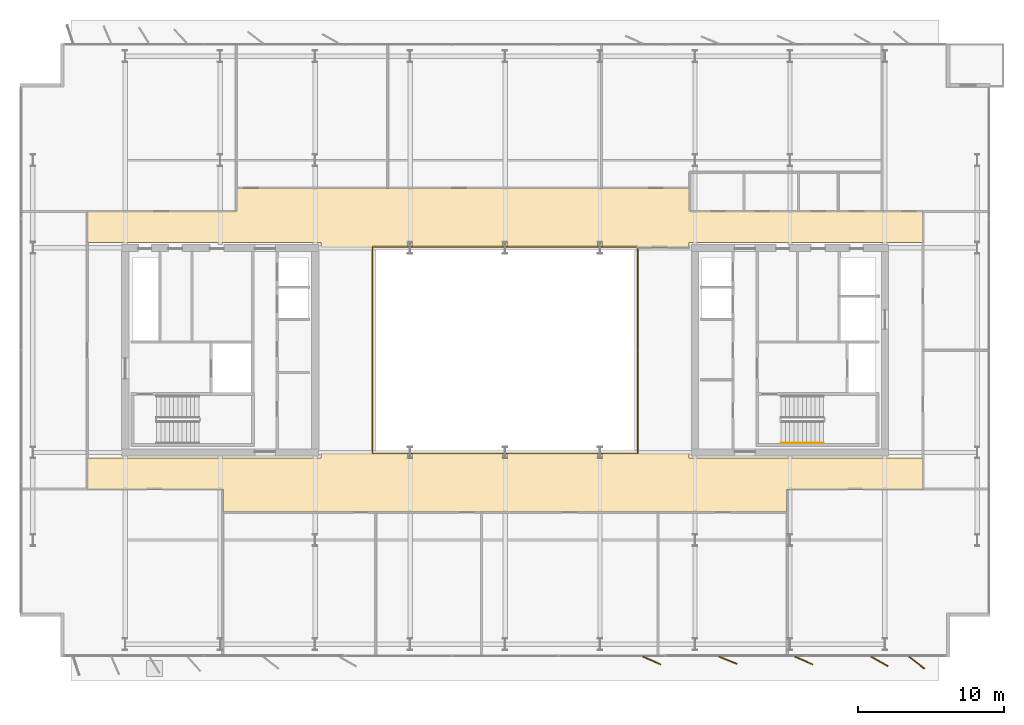
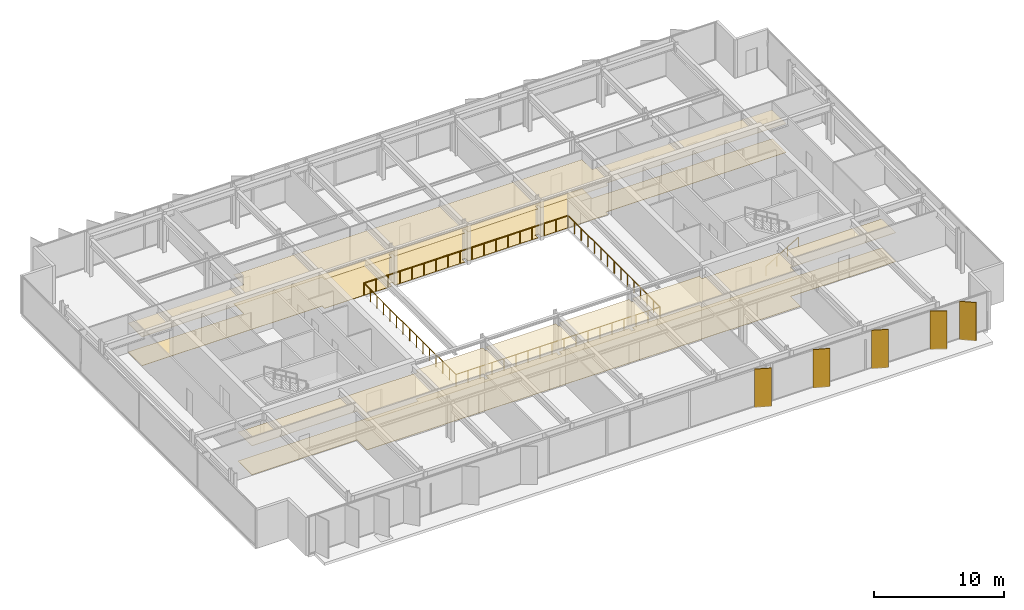
# One storey, part 21 of 23: 5 shading devices, 4 coverings, 3 railings.
"""IFC4 building model written with IfcOpenShell, lengths in metres."""

from ifc_helpers import new_model, si_unit, direction, frame, origin, origin_2d, place, context, subcontext, project, spatial, polyline, rectangle, circle, outline, extrude, material, layer, layer_set, type_object, element, save


model = new_model("IFC4")

# Units and contexts
model_context = context("Model", 3, precision=1e-05, world=origin(), true_north=direction((0.0, 1.0)))
body_context = subcontext(model_context, "Body", "Model", "MODEL_VIEW")
ifc_project = project(units=[si_unit("LENGTHUNIT", "METRE"), si_unit("AREAUNIT", "SQUARE_METRE"), si_unit("VOLUMEUNIT", "CUBIC_METRE"), si_unit("PLANEANGLEUNIT", "RADIAN"), si_unit("MASSUNIT", "GRAM", prefix="KILO")], contexts=[model_context])

# Site, building, storey
site_placement = place(None, origin())
site = spatial("IfcSite", under=ifc_project, at=site_placement, CompositionType="ELEMENT")
building_placement = place(site_placement, origin())
building = spatial("IfcBuilding", under=site, at=building_placement, Name="Putna Gate Headquarters", CompositionType="ELEMENT")
storey_placement = place(building_placement, frame((0.0, 0.0, 202.39990234375)))
storey = spatial("IfcBuildingStorey", under=building, at=storey_placement, Name="L50", CompositionType="ELEMENT", Elevation=202.39990234375)

# Coverings
ifc_material_1 = material(Name="Perforated mineral-fibre acoustic ceiling tile")
ifc_layer_1 = layer(ifc_material_1, 0.0400390625)
ifc_layer_set_1 = layer_set([ifc_layer_1], Name="Perforated mineral-fibre acoustic ceiling tile")
covering_type_1 = type_object("IfcCoveringType", Name="COV-ACOUSTIC-CEILING", PredefinedType="CEILING", material=ifc_layer_set_1)
covering_1_placement = place(storey_placement, frame((0.0, 0.0, 2.710205078125)))
element("IfcCovering", 1, at=covering_1_placement, inside=storey, type_object=covering_type_1, Name="L50 Acoustic Ceiling Covering 1", PredefinedType="CEILING", context=body_context, shape_type="SweptSolid", body=[
    extrude(outline(polyline([(45.360107421875, 33.35888671875), (45.340576171875, 33.35888671875), (45.340576171875, 33.4150390625), (45.659423828125, 33.4150390625), (45.659423828125, 33.35888671875), (45.639892578125, 33.35888671875), (45.639892578125, 33.02001953125), (51.60009765625, 33.02001953125), (51.60009765625, 33.3798828125), (67.6201171875, 33.3798828125), (67.6201171875, 35.52001953125), (51.60009765625, 35.52001953125), (51.60009765625, 37.06005859375), (20.64892578125, 37.06005859375), (20.64892578125, 35.52001953125), (10.3798828125, 35.52001953125), (10.3798828125, 33.3798828125), (26.39990234375, 33.3798828125), (26.39990234375, 33.02001953125), (32.360107421875, 33.02001953125), (32.360107421875, 33.35888671875), (32.340576171875, 33.35888671875), (32.340576171875, 33.4150390625), (32.659423828125, 33.4150390625), (32.659423828125, 33.35888671875), (32.639892578125, 33.35888671875), (32.639892578125, 33.02001953125), (38.860107421875, 33.02001953125), (38.860107421875, 33.35888671875), (38.840576171875, 33.35888671875), (38.840576171875, 33.4150390625), (39.159423828125, 33.4150390625), (39.159423828125, 33.35888671875), (39.139892578125, 33.35888671875), (39.139892578125, 33.02001953125), (45.360107421875, 33.02001953125), (45.360107421875, 33.35888671875)])), origin(), (0.0, 0.0, 1.0), 0.039794921875),
])
covering_2_placement = place(storey_placement, frame((0.0, 0.0, 2.710205078125)))
element("IfcCovering", 2, at=covering_2_placement, inside=storey, type_object=covering_type_1, Name="L50 Acoustic Ceiling Covering 2", PredefinedType="CEILING", context=body_context, shape_type="SweptSolid", body=[
    extrude(outline(polyline([(19.723388671875, 16.47998046875), (19.723388671875, 14.93994140625), (58.276611328125, 14.93994140625), (58.276611328125, 16.47998046875), (67.6201171875, 16.47998046875), (67.6201171875, 18.6201171875), (51.60009765625, 18.6201171875), (51.60009765625, 18.97998046875), (45.639892578125, 18.97998046875), (45.639892578125, 18.64111328125), (45.659423828125, 18.64111328125), (45.659423828125, 18.5849609375), (45.340576171875, 18.5849609375), (45.340576171875, 18.64111328125), (45.360107421875, 18.64111328125), (45.360107421875, 18.97998046875), (39.139892578125, 18.97998046875), (39.139892578125, 18.64111328125), (39.159423828125, 18.64111328125), (39.159423828125, 18.5849609375), (38.840576171875, 18.5849609375), (38.840576171875, 18.64111328125), (38.860107421875, 18.64111328125), (38.860107421875, 18.97998046875), (32.639892578125, 18.97998046875), (32.639892578125, 18.64111328125), (32.659423828125, 18.64111328125), (32.659423828125, 18.5849609375), (32.340576171875, 18.5849609375), (32.340576171875, 18.64111328125), (32.360107421875, 18.64111328125), (32.360107421875, 18.97998046875), (26.39990234375, 18.97998046875), (26.39990234375, 18.6201171875), (10.3798828125, 18.6201171875), (10.3798828125, 16.47998046875), (19.723388671875, 16.47998046875)])), origin(), (0.0, 0.0, 1.0), 0.039794921875),
])
ifc_material_2 = material(Name="Calcium-sulphate raised access floor finish")
ifc_layer_2 = layer(ifc_material_2, 0.030029296875)
ifc_layer_set_2 = layer_set([ifc_layer_2], Name="Calcium-sulphate raised access floor finish")
covering_type_2 = type_object("IfcCoveringType", Name="COV-RAISED-FLOORING", PredefinedType="FLOORING", material=ifc_layer_set_2)
covering_3_placement = place(storey_placement, origin())
element("IfcCovering", 3, at=covering_3_placement, inside=storey, type_object=covering_type_2, Name="L50 Raised Access Floor Covering 1", PredefinedType="FLOORING", context=body_context, shape_type="SweptSolid", body=[
    extrude(outline(polyline([(45.360107421875, 33.35888671875), (45.340576171875, 33.35888671875), (45.340576171875, 33.4150390625), (45.659423828125, 33.4150390625), (45.659423828125, 33.35888671875), (45.639892578125, 33.35888671875), (45.639892578125, 33.02001953125), (51.60009765625, 33.02001953125), (51.60009765625, 33.3798828125), (67.6201171875, 33.3798828125), (67.6201171875, 35.52001953125), (51.60009765625, 35.52001953125), (51.60009765625, 37.06005859375), (20.64892578125, 37.06005859375), (20.64892578125, 35.52001953125), (10.3798828125, 35.52001953125), (10.3798828125, 33.3798828125), (26.39990234375, 33.3798828125), (26.39990234375, 33.02001953125), (32.360107421875, 33.02001953125), (32.360107421875, 33.35888671875), (32.340576171875, 33.35888671875), (32.340576171875, 33.4150390625), (32.659423828125, 33.4150390625), (32.659423828125, 33.35888671875), (32.639892578125, 33.35888671875), (32.639892578125, 33.02001953125), (38.860107421875, 33.02001953125), (38.860107421875, 33.35888671875), (38.840576171875, 33.35888671875), (38.840576171875, 33.4150390625), (39.159423828125, 33.4150390625), (39.159423828125, 33.35888671875), (39.139892578125, 33.35888671875), (39.139892578125, 33.02001953125), (45.360107421875, 33.02001953125), (45.360107421875, 33.35888671875)])), origin(), (0.0, 0.0, 1.0), 0.030029296875),
])
covering_4_placement = place(storey_placement, origin())
element("IfcCovering", 4, at=covering_4_placement, inside=storey, type_object=covering_type_2, Name="L50 Raised Access Floor Covering 2", PredefinedType="FLOORING", context=body_context, shape_type="SweptSolid", body=[
    extrude(outline(polyline([(19.723388671875, 16.47998046875), (19.723388671875, 14.93994140625), (58.276611328125, 14.93994140625), (58.276611328125, 16.47998046875), (67.6201171875, 16.47998046875), (67.6201171875, 18.6201171875), (51.60009765625, 18.6201171875), (51.60009765625, 18.97998046875), (45.639892578125, 18.97998046875), (45.639892578125, 18.64111328125), (45.659423828125, 18.64111328125), (45.659423828125, 18.5849609375), (45.340576171875, 18.5849609375), (45.340576171875, 18.64111328125), (45.360107421875, 18.64111328125), (45.360107421875, 18.97998046875), (39.139892578125, 18.97998046875), (39.139892578125, 18.64111328125), (39.159423828125, 18.64111328125), (39.159423828125, 18.5849609375), (38.840576171875, 18.5849609375), (38.840576171875, 18.64111328125), (38.860107421875, 18.64111328125), (38.860107421875, 18.97998046875), (32.639892578125, 18.97998046875), (32.639892578125, 18.64111328125), (32.659423828125, 18.64111328125), (32.659423828125, 18.5849609375), (32.340576171875, 18.5849609375), (32.340576171875, 18.64111328125), (32.360107421875, 18.64111328125), (32.360107421875, 18.97998046875), (26.39990234375, 18.97998046875), (26.39990234375, 18.6201171875), (10.3798828125, 18.6201171875), (10.3798828125, 16.47998046875), (19.723388671875, 16.47998046875)])), origin(), (0.0, 0.0, 1.0), 0.030029296875),
])

# Railings
ifc_material_3 = material(Name="Anodised bronze and laminated glass atrium balustrade", Category="glass")
railing_type_1 = type_object("IfcRailingType", Name="RAIL-ATRIUM-GUARD-1150", PredefinedType="GUARDRAIL", material=ifc_material_3)
railing_1_placement = place(storey_placement, frame((29.919921875, 25.969970703125, 0.0)))
element("IfcRailing", 5, at=railing_1_placement, inside=storey, type_object=railing_type_1, Name="L50 Central Atrium Glazed Balustrade South", PredefinedType="GUARDRAIL", context=body_context, shape_type="SweptSolid", body=[
    extrude(circle(Radius=0.02392578125, at=origin_2d()), frame((0.0, 0.0, 1.1259765625), z_axis=(0.0, -1.0, 0.0), x_axis=(1.0, 0.0, 0.0)), (0.0, 0.0, 1.0), 7.050048828125),
    extrude(circle(Radius=0.02392578125, at=origin_2d()), frame((0.0, -7.050048828125, 1.1259765625), z_axis=(1.0, 0.0, 0.0), x_axis=(0.0, 1.0, 0.0)), (0.0, 0.0, 1.0), 18.16015625),
    extrude(circle(Radius=0.02392578125, at=origin_2d()), frame((18.16015625, -7.050048828125, 1.1259765625), z_axis=(0.0, 1.0, 0.0), x_axis=(-1.0, 0.0, 0.0)), (0.0, 0.0, 1.0), 7.050048828125),
    extrude(circle(Radius=0.02099609375, at=origin_2d()), origin(), (0.0, 0.0, 1.0), 1.101806640625),
    extrude(circle(Radius=0.02099609375, at=origin_2d()), frame((0.0, -1.007080078125, 0.0)), (0.0, 0.0, 1.0), 1.101806640625),
    extrude(circle(Radius=0.02099609375, at=origin_2d()), frame((0.0, -2.014404296875, 0.0)), (0.0, 0.0, 1.0), 1.101806640625),
    extrude(circle(Radius=0.02099609375, at=origin_2d()), frame((0.0, -3.021484375, 0.0)), (0.0, 0.0, 1.0), 1.101806640625),
    extrude(circle(Radius=0.02099609375, at=origin_2d()), frame((0.0, -4.028564453125, 0.0)), (0.0, 0.0, 1.0), 1.101806640625),
    extrude(circle(Radius=0.02099609375, at=origin_2d()), frame((0.0, -5.03564453125, 0.0)), (0.0, 0.0, 1.0), 1.101806640625),
    extrude(circle(Radius=0.02099609375, at=origin_2d()), frame((0.0, -6.04296875, 0.0)), (0.0, 0.0, 1.0), 1.101806640625),
    extrude(circle(Radius=0.02099609375, at=origin_2d()), frame((0.0, -7.050048828125, 0.0)), (0.0, 0.0, 1.0), 1.101806640625),
    extrude(circle(Radius=0.02099609375, at=origin_2d()), frame((1.068359375, -7.050048828125, 0.0)), (0.0, 0.0, 1.0), 1.101806640625),
    extrude(circle(Radius=0.02099609375, at=origin_2d()), frame((2.136474609375, -7.050048828125, 0.0)), (0.0, 0.0, 1.0), 1.101806640625),
    extrude(circle(Radius=0.02099609375, at=origin_2d()), frame((3.204833984375, -7.050048828125, 0.0)), (0.0, 0.0, 1.0), 1.101806640625),
    extrude(circle(Radius=0.02099609375, at=origin_2d()), frame((4.27294921875, -7.050048828125, 0.0)), (0.0, 0.0, 1.0), 1.101806640625),
    extrude(circle(Radius=0.02099609375, at=origin_2d()), frame((5.34130859375, -7.050048828125, 0.0)), (0.0, 0.0, 1.0), 1.101806640625),
    extrude(circle(Radius=0.02099609375, at=origin_2d()), frame((6.409423828125, -7.050048828125, 0.0)), (0.0, 0.0, 1.0), 1.101806640625),
    extrude(circle(Radius=0.02099609375, at=origin_2d()), frame((7.477783203125, -7.050048828125, 0.0)), (0.0, 0.0, 1.0), 1.101806640625),
    extrude(circle(Radius=0.02099609375, at=origin_2d()), frame((8.5458984375, -7.050048828125, 0.0)), (0.0, 0.0, 1.0), 1.101806640625),
    extrude(circle(Radius=0.02099609375, at=origin_2d()), frame((9.6142578125, -7.050048828125, 0.0)), (0.0, 0.0, 1.0), 1.101806640625),
    extrude(circle(Radius=0.02099609375, at=origin_2d()), frame((10.682373046875, -7.050048828125, 0.0)), (0.0, 0.0, 1.0), 1.101806640625),
    extrude(circle(Radius=0.02099609375, at=origin_2d()), frame((11.750732421875, -7.050048828125, 0.0)), (0.0, 0.0, 1.0), 1.101806640625),
    extrude(circle(Radius=0.02099609375, at=origin_2d()), frame((12.81884765625, -7.050048828125, 0.0)), (0.0, 0.0, 1.0), 1.101806640625),
    extrude(circle(Radius=0.02099609375, at=origin_2d()), frame((13.88720703125, -7.050048828125, 0.0)), (0.0, 0.0, 1.0), 1.101806640625),
    extrude(circle(Radius=0.02099609375, at=origin_2d()), frame((14.955322265625, -7.050048828125, 0.0)), (0.0, 0.0, 1.0), 1.101806640625),
    extrude(circle(Radius=0.02099609375, at=origin_2d()), frame((16.023681640625, -7.050048828125, 0.0)), (0.0, 0.0, 1.0), 1.101806640625),
    extrude(circle(Radius=0.02099609375, at=origin_2d()), frame((17.091796875, -7.050048828125, 0.0)), (0.0, 0.0, 1.0), 1.101806640625),
    extrude(circle(Radius=0.02099609375, at=origin_2d()), frame((18.16015625, -7.050048828125, 0.0)), (0.0, 0.0, 1.0), 1.101806640625),
    extrude(circle(Radius=0.02099609375, at=origin_2d()), frame((18.16015625, -6.04296875, 0.0)), (0.0, 0.0, 1.0), 1.101806640625),
    extrude(circle(Radius=0.02099609375, at=origin_2d()), frame((18.16015625, -5.03564453125, 0.0)), (0.0, 0.0, 1.0), 1.101806640625),
    extrude(circle(Radius=0.02099609375, at=origin_2d()), frame((18.16015625, -4.028564453125, 0.0)), (0.0, 0.0, 1.0), 1.101806640625),
    extrude(circle(Radius=0.02099609375, at=origin_2d()), frame((18.16015625, -3.021484375, 0.0)), (0.0, 0.0, 1.0), 1.101806640625),
    extrude(circle(Radius=0.02099609375, at=origin_2d()), frame((18.16015625, -2.014404296875, 0.0)), (0.0, 0.0, 1.0), 1.101806640625),
    extrude(circle(Radius=0.02099609375, at=origin_2d()), frame((18.16015625, -1.007080078125, 0.0)), (0.0, 0.0, 1.0), 1.101806640625),
    extrude(circle(Radius=0.02099609375, at=origin_2d()), frame((18.16015625, 0.0, 0.0)), (0.0, 0.0, 1.0), 1.101806640625),
])
railing_2_placement = place(storey_placement, frame((48.080078125, 26.030029296875, 0.0)))
element("IfcRailing", 6, at=railing_2_placement, inside=storey, type_object=railing_type_1, Name="L50 Central Atrium Glazed Balustrade North", PredefinedType="GUARDRAIL", context=body_context, shape_type="SweptSolid", body=[
    extrude(circle(Radius=0.02392578125, at=origin_2d()), frame((0.0, 0.0, 1.1259765625), z_axis=(0.0, 1.0, 0.0), x_axis=(-1.0, 0.0, 0.0)), (0.0, 0.0, 1.0), 7.050048828125),
    extrude(circle(Radius=0.02392578125, at=origin_2d()), frame((0.0, 7.050048828125, 1.1259765625), z_axis=(-1.0, 0.0, 0.0), x_axis=(0.0, -1.0, 0.0)), (0.0, 0.0, 1.0), 18.16015625),
    extrude(circle(Radius=0.02392578125, at=origin_2d()), frame((-18.16015625, 7.050048828125, 1.1259765625), z_axis=(0.0, -1.0, 0.0), x_axis=(1.0, 0.0, 0.0)), (0.0, 0.0, 1.0), 7.050048828125),
    extrude(circle(Radius=0.02099609375, at=origin_2d()), origin(), (0.0, 0.0, 1.0), 1.101806640625),
    extrude(circle(Radius=0.02099609375, at=origin_2d()), frame((0.0, 1.007080078125, 0.0)), (0.0, 0.0, 1.0), 1.101806640625),
    extrude(circle(Radius=0.02099609375, at=origin_2d()), frame((0.0, 2.014404296875, 0.0)), (0.0, 0.0, 1.0), 1.101806640625),
    extrude(circle(Radius=0.02099609375, at=origin_2d()), frame((0.0, 3.021484375, 0.0)), (0.0, 0.0, 1.0), 1.101806640625),
    extrude(circle(Radius=0.02099609375, at=origin_2d()), frame((0.0, 4.028564453125, 0.0)), (0.0, 0.0, 1.0), 1.101806640625),
    extrude(circle(Radius=0.02099609375, at=origin_2d()), frame((0.0, 5.03564453125, 0.0)), (0.0, 0.0, 1.0), 1.101806640625),
    extrude(circle(Radius=0.02099609375, at=origin_2d()), frame((0.0, 6.04296875, 0.0)), (0.0, 0.0, 1.0), 1.101806640625),
    extrude(circle(Radius=0.02099609375, at=origin_2d()), frame((0.0, 7.050048828125, 0.0)), (0.0, 0.0, 1.0), 1.101806640625),
    extrude(circle(Radius=0.02099609375, at=origin_2d()), frame((-1.068359375, 7.050048828125, 0.0)), (0.0, 0.0, 1.0), 1.101806640625),
    extrude(circle(Radius=0.02099609375, at=origin_2d()), frame((-2.136474609375, 7.050048828125, 0.0)), (0.0, 0.0, 1.0), 1.101806640625),
    extrude(circle(Radius=0.02099609375, at=origin_2d()), frame((-3.204833984375, 7.050048828125, 0.0)), (0.0, 0.0, 1.0), 1.101806640625),
    extrude(circle(Radius=0.02099609375, at=origin_2d()), frame((-4.27294921875, 7.050048828125, 0.0)), (0.0, 0.0, 1.0), 1.101806640625),
    extrude(circle(Radius=0.02099609375, at=origin_2d()), frame((-5.34130859375, 7.050048828125, 0.0)), (0.0, 0.0, 1.0), 1.101806640625),
    extrude(circle(Radius=0.02099609375, at=origin_2d()), frame((-6.409423828125, 7.050048828125, 0.0)), (0.0, 0.0, 1.0), 1.101806640625),
    extrude(circle(Radius=0.02099609375, at=origin_2d()), frame((-7.477783203125, 7.050048828125, 0.0)), (0.0, 0.0, 1.0), 1.101806640625),
    extrude(circle(Radius=0.02099609375, at=origin_2d()), frame((-8.5458984375, 7.050048828125, 0.0)), (0.0, 0.0, 1.0), 1.101806640625),
    extrude(circle(Radius=0.02099609375, at=origin_2d()), frame((-9.6142578125, 7.050048828125, 0.0)), (0.0, 0.0, 1.0), 1.101806640625),
    extrude(circle(Radius=0.02099609375, at=origin_2d()), frame((-10.682373046875, 7.050048828125, 0.0)), (0.0, 0.0, 1.0), 1.101806640625),
    extrude(circle(Radius=0.02099609375, at=origin_2d()), frame((-11.750732421875, 7.050048828125, 0.0)), (0.0, 0.0, 1.0), 1.101806640625),
    extrude(circle(Radius=0.02099609375, at=origin_2d()), frame((-12.81884765625, 7.050048828125, 0.0)), (0.0, 0.0, 1.0), 1.101806640625),
    extrude(circle(Radius=0.02099609375, at=origin_2d()), frame((-13.88720703125, 7.050048828125, 0.0)), (0.0, 0.0, 1.0), 1.101806640625),
    extrude(circle(Radius=0.02099609375, at=origin_2d()), frame((-14.955322265625, 7.050048828125, 0.0)), (0.0, 0.0, 1.0), 1.101806640625),
    extrude(circle(Radius=0.02099609375, at=origin_2d()), frame((-16.023681640625, 7.050048828125, 0.0)), (0.0, 0.0, 1.0), 1.101806640625),
    extrude(circle(Radius=0.02099609375, at=origin_2d()), frame((-17.091796875, 7.050048828125, 0.0)), (0.0, 0.0, 1.0), 1.101806640625),
    extrude(circle(Radius=0.02099609375, at=origin_2d()), frame((-18.16015625, 7.050048828125, 0.0)), (0.0, 0.0, 1.0), 1.101806640625),
    extrude(circle(Radius=0.02099609375, at=origin_2d()), frame((-18.16015625, 6.04296875, 0.0)), (0.0, 0.0, 1.0), 1.101806640625),
    extrude(circle(Radius=0.02099609375, at=origin_2d()), frame((-18.16015625, 5.03564453125, 0.0)), (0.0, 0.0, 1.0), 1.101806640625),
    extrude(circle(Radius=0.02099609375, at=origin_2d()), frame((-18.16015625, 4.028564453125, 0.0)), (0.0, 0.0, 1.0), 1.101806640625),
    extrude(circle(Radius=0.02099609375, at=origin_2d()), frame((-18.16015625, 3.021484375, 0.0)), (0.0, 0.0, 1.0), 1.101806640625),
    extrude(circle(Radius=0.02099609375, at=origin_2d()), frame((-18.16015625, 2.014404296875, 0.0)), (0.0, 0.0, 1.0), 1.101806640625),
    extrude(circle(Radius=0.02099609375, at=origin_2d()), frame((-18.16015625, 1.007080078125, 0.0)), (0.0, 0.0, 1.0), 1.101806640625),
    extrude(circle(Radius=0.02099609375, at=origin_2d()), frame((-18.16015625, 0.0, 0.0)), (0.0, 0.0, 1.0), 1.101806640625),
])
ifc_material_4 = material(Name="Brushed stainless steel handrail", Category="steel")
railing_type_2 = type_object("IfcRailingType", Name="RAIL-STAIR-HAND-900", PredefinedType="HANDRAIL", material=ifc_material_4)
railing_3_placement = place(storey_placement, frame((57.89990234375, 19.64990234375, 0.1728515625)))
element("IfcRailing", 7, at=railing_3_placement, inside=storey, type_object=railing_type_2, Name="L50 ST2 stair handrail 1", PredefinedType="HANDRAIL", context=body_context, shape_type="SweptSolid", body=[
    extrude(circle(Radius=0.02392578125, at=origin_2d()), frame((0.0, 0.0, 0.8759765625), z_axis=(0.859160404282, 0.0, 0.51170636083), x_axis=(0.0, 1.0, 0.0)), (0.0, 0.0, 1.0), 3.37548828125),
    extrude(circle(Radius=0.02099609375, at=origin_2d()), origin(), (0.0, 0.0, 1.0), 0.851806640625),
    extrude(circle(Radius=0.02099609375, at=origin_2d()), frame((0.966796875, 0.0, 0.57568359375)), (0.0, 0.0, 1.0), 0.851806640625),
    extrude(circle(Radius=0.02099609375, at=origin_2d()), frame((1.933349609375, 0.0, 1.151611328125)), (0.0, 0.0, 1.0), 0.851806640625),
    extrude(circle(Radius=0.02099609375, at=origin_2d()), frame((2.900146484375, 0.0, 1.727294921875)), (0.0, 0.0, 1.0), 0.851806640625),
])

# Shading devices
ifc_material_5 = material(Name="Anodised architectural bronze aluminium fin", Category="aluminium")
ifc_layer_3 = layer(ifc_material_5, 0.06494140625)
ifc_layer_set_3 = layer_set([ifc_layer_3], Name="Anodised architectural bronze aluminium fin")
shading_device_type = type_object("IfcShadingDeviceType", Name="SHADE-BRONZE-FIN-1320", PredefinedType="USERDEFINED", material=ifc_layer_set_3)
for number, where, z_axis, x_axis, name in (
    (8, (49.052978515625, 4.7568359375, -0.02001953125), (0.0, 0.0, 1.0), (0.913687379856, -0.40641773078, 0.0), "L50 Bronze Vertical Shading Fin S7"),
    (9, (54.261962890625, 4.77783203125, -0.02001953125), (0.0, 0.0, 1.0), (0.927183854567, -0.374606593416, 0.0), "L50 Bronze Vertical Shading Fin S8"),
    (10, (59.452880859375, 4.7568359375, -0.02001953125), (0.0, 0.0, 1.0), (0.913687379856, -0.40641773078, 0.0), "L50 Bronze Vertical Shading Fin S9"),
    (11, (64.623779296875, 4.69873046875, -0.02001953125), (0.0, 0.0, 1.0), (0.869322458298, -0.494245347472, 0.0), "L50 Bronze Vertical Shading Fin S10"),
    (12, (67.169677734375, 4.6181640625, -0.02001953125), (0.0, 0.0, 1.0), (0.787473187632, -0.616348909921, 0.0), "L50 Bronze Vertical Shading Fin S11"),
):
    element("IfcShadingDevice", number, at=place(storey_placement, frame(where, z_axis=z_axis, x_axis=x_axis)), inside=storey, type_object=shading_device_type, Name=name, ObjectType="FIN", PredefinedType="USERDEFINED", context=body_context, shape_type="SweptSolid", body=[
        extrude(rectangle(XDim=1.320068359375, YDim=0.06494140625, at=origin_2d()), origin(), (0.0, 0.0, 1.0), 3.6201171875),
    ])

save(model, "model.ifc")
